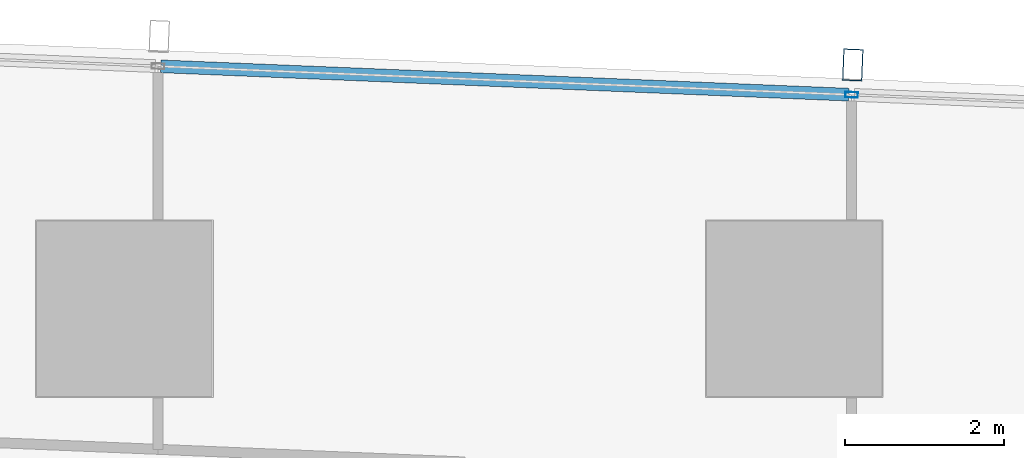
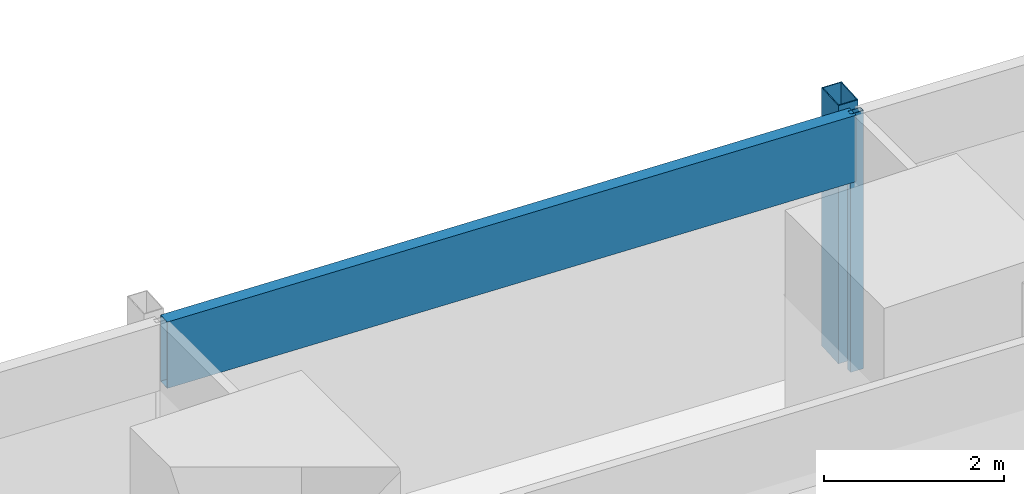
# One storey, part 21 of 44: 3 members, 1 element without a shape of its own.
"""IFC4 building model written with IfcOpenShell, lengths in metres."""

from ifc_helpers import new_model, si_unit, direction, frame, origin, origin_2d, place, context, subcontext, project, spatial, hollow_rectangle, extrude, material, material_profile, profile_set, type_object, element, aggregate, save


model = new_model("IFC4")

# Units and contexts
model_context = context("Model", 3, precision=1e-05, world=origin(), true_north=direction((0.0, 1.0)))
body_context = subcontext(model_context, "Body", "Model", "MODEL_VIEW")
ifc_project = project(units=[si_unit("LENGTHUNIT", "METRE"), si_unit("AREAUNIT", "SQUARE_METRE"), si_unit("VOLUMEUNIT", "CUBIC_METRE"), si_unit("PLANEANGLEUNIT", "RADIAN"), si_unit("MASSUNIT", "GRAM", prefix="KILO")], contexts=[model_context])

# Site, building, storey
site_placement = place(None, origin())
site = spatial("IfcSite", under=ifc_project, at=site_placement, CompositionType="ELEMENT")
building_placement = place(site_placement, origin())
building = spatial("IfcBuilding", under=site, at=building_placement, Name="Rekha Terrace Tower", CompositionType="ELEMENT")
storey_placement = place(building_placement, frame((0.0, 0.0, 51.64990234375)))
storey = spatial("IfcBuildingStorey", under=building, at=storey_placement, Name="L12", CompositionType="ELEMENT", Elevation=51.64990234375)

# Curtain wall, members
ifc_material_1 = material(Name="Aluminium framing", Category="aluminium")
curtain_wall_type = type_object("IfcCurtainWallType", Name="CW3 north unitised glazing", PredefinedType="USERDEFINED", material=ifc_material_1)
curtain_wall_placement = place(storey_placement, origin())
curtain_wall = element("IfcCurtainWall", 1, at=curtain_wall_placement, inside=storey, type_object=curtain_wall_type, Name="CW3 unitised curtain wall", ObjectType="UNITISED CURTAIN WALL", PredefinedType="USERDEFINED")
ifc_material_2 = material(Name="Steel S355 with fluorocarbon finish", Category="steel")
ifc_material_profile_1 = material_profile(ifc_material_2, hollow_rectangle(XDim=0.25, YDim=0.39990234375, WallThickness=0.012451171875, at=origin_2d()), Name="RHS400x250x12.5")
ifc_profile_set_1 = profile_set([ifc_material_profile_1], Name="Steel S355 with fluorocarbon finish")
member_type_1 = type_object("IfcMemberType", Name="BL1 facade blade RHS 400 x 250", PredefinedType="USERDEFINED", material=ifc_profile_set_1)
member_1_placement = place(storey_placement, frame((42.73388671875, 61.857421875, 0.0), z_axis=(0.0, 0.0, 1.0), x_axis=(-0.99915196507, 0.041174636562, 0.0)))
member_1 = element("IfcMember", 2, at=member_1_placement, type_object=member_type_1, Name="Facade blade", ObjectType="FACADE BLADE", PredefinedType="USERDEFINED", context=body_context, shape_type="SweptSolid", body=[
    extrude(hollow_rectangle(XDim=0.25, YDim=0.39990234375, WallThickness=0.012451171875, at=origin_2d()), origin(), (0.0, 0.0, 1.0), 3.5),
])
ifc_material_3 = material(Name="Aluminium mullion section", Category="aluminium")
ifc_material_profile_2 = material_profile(ifc_material_3, hollow_rectangle(XDim=0.070068359375, YDim=0.159912109375, WallThickness=0.00390625, at=origin_2d()), Name="AL RHS 70x160")
ifc_profile_set_2 = profile_set([ifc_material_profile_2], Name="Aluminium mullion section")
member_type_2 = type_object("IfcMemberType", Name="CW3 mullion RHS 70 x 160", PredefinedType="MULLION", material=ifc_profile_set_2)
member_2_placement = place(storey_placement, frame((42.718505859375, 61.48291015625, 0.0), z_axis=(0.0, 0.0, 1.0), x_axis=(-0.041173846041, -0.999151997647, 0.0)))
member_2 = element("IfcMember", 3, at=member_2_placement, type_object=member_type_2, Name="CW3 mullion 4", PredefinedType="MULLION", context=body_context, shape_type="SweptSolid", body=[
    extrude(hollow_rectangle(XDim=0.070068359375, YDim=0.159912109375, WallThickness=0.00390625, at=origin_2d()), origin(), (0.0, 0.0, 1.0), 3.5),
])
ifc_material_4 = material(Name="Insulated aluminium spandrel box", Category="aluminium")
ifc_material_profile_3 = material_profile(ifc_material_4, hollow_rectangle(XDim=0.159912109375, YDim=0.89990234375, WallThickness=0.0029296875, at=origin_2d()), Name="AL SPANDREL BOX 160x900")
ifc_profile_set_3 = profile_set([ifc_material_profile_3], Name="Insulated aluminium spandrel box")
member_type_3 = type_object("IfcMemberType", Name="CW3 spandrel transom 160 x 900", PredefinedType="USERDEFINED", material=ifc_profile_set_3)
member_3_placement = place(storey_placement, frame((42.68359375, 61.484375, 3.050048828125), z_axis=(-0.999152128669, 0.041170666459, 0.0), x_axis=(-0.041170666459, -0.999152128669, 0.0)))
member_3 = element("IfcMember", 4, at=member_3_placement, type_object=member_type_3, Name="CW3 spandrel transom 4", ObjectType="TRANSOM", PredefinedType="USERDEFINED", context=body_context, shape_type="SweptSolid", body=[
    extrude(hollow_rectangle(XDim=0.159912109375, YDim=0.89990234375, WallThickness=0.0029296875, at=origin_2d()), origin(), (0.0, 0.0, 1.0), 8.634033203125),
])
aggregate(curtain_wall, [member_2, member_3, member_1])

save(model, "model.ifc")
